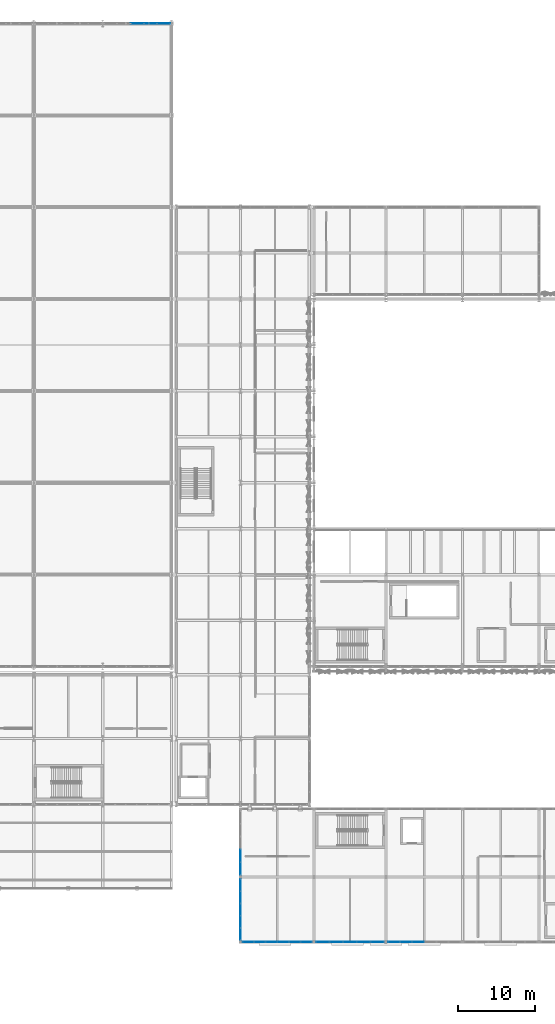
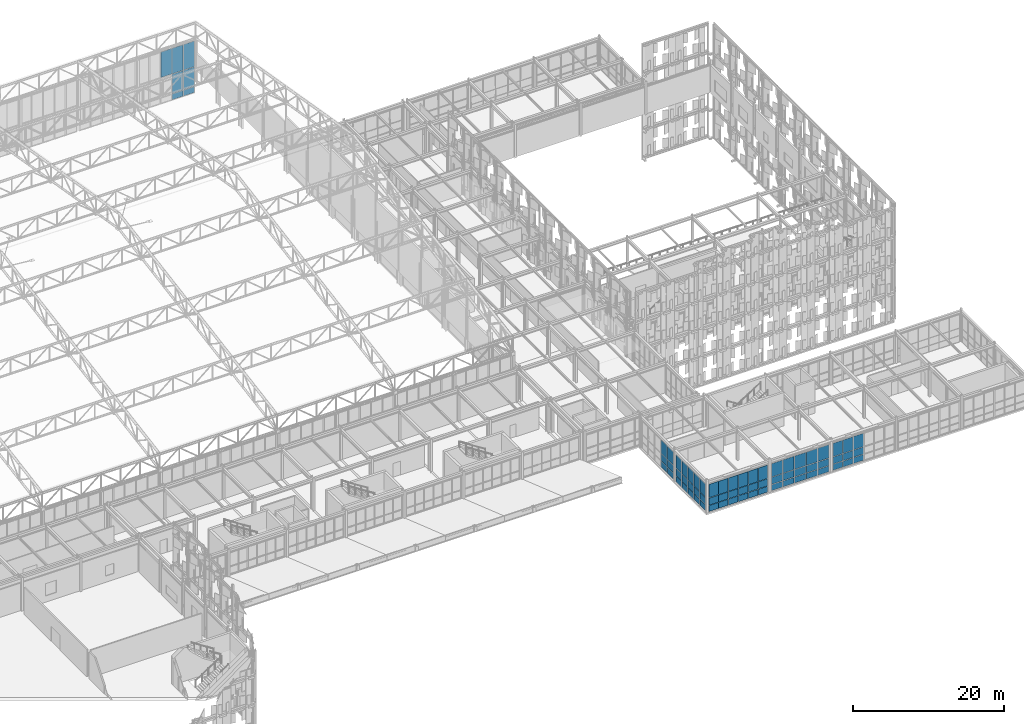
# One storey, part 190 of 239: 70 plates, 6 elements without a shape of their own.
"""IFC4 building model written with IfcOpenShell, lengths in metres."""

from ifc_helpers import new_model, si_unit, direction, frame, origin, origin_2d, place, context, subcontext, project, spatial, rectangle, extrude, material, type_object, element, aggregate, save


model = new_model("IFC4")

# Units and contexts
model_context = context("Model", 3, precision=1e-05, world=origin(), true_north=direction((0.0, 1.0)))
body_context = subcontext(model_context, "Body", "Model", "MODEL_VIEW")
ifc_project = project(units=[si_unit("LENGTHUNIT", "METRE"), si_unit("AREAUNIT", "SQUARE_METRE"), si_unit("VOLUMEUNIT", "CUBIC_METRE"), si_unit("PLANEANGLEUNIT", "RADIAN"), si_unit("MASSUNIT", "GRAM", prefix="KILO")], contexts=[model_context])

# Site, building, storey
site_placement = place(None, origin())
site = spatial("IfcSite", under=ifc_project, at=site_placement, CompositionType="ELEMENT")
building_placement = place(site_placement, origin())
building = spatial("IfcBuilding", under=site, at=building_placement, Name="Kaldris Quays Convention Centre", CompositionType="ELEMENT")
storey_placement = place(building_placement, frame((0.0, 0.0, 11.39990234375)))
storey = spatial("IfcBuildingStorey", under=building, at=storey_placement, Name="L02", CompositionType="ELEMENT", Elevation=11.39990234375)

# Curtain wall, plates
ifc_material_1 = material(Name="Anodized aluminium AW-6060 and triple glazing", Category="aluminium")
curtain_wall_type_1 = type_object("IfcCurtainWallType", Name="UNITISED CURTAIN WALL CW02", PredefinedType="NOTDEFINED", material=ifc_material_1)
curtain_wall_1_placement = place(storey_placement, origin())
curtain_wall_1 = element("IfcCurtainWall", 1, at=curtain_wall_1_placement, inside=storey, type_object=curtain_wall_type_1, Name="L02 Unitised Curtain Wall CW02 201", PredefinedType="NOTDEFINED")
ifc_material_2 = material(Name="Triple low-E insulated glazing", Category="glass")
plate_type_1 = type_object("IfcPlateType", Name="CURTAIN GLAZING PANEL CWP1", PredefinedType="CURTAIN_PANEL", material=ifc_material_2)
plate_1_placement = place(storey_placement, frame((165.7548828125, 20.0, 0.06005859375), z_axis=(0.0, 0.0, 1.0), x_axis=(1.0, 0.0, 0.0)))
plate_1 = element("IfcPlate", 2, at=plate_1_placement, type_object=plate_type_1, Name="CW02 panel 1.1", PredefinedType="CURTAIN_PANEL", context=body_context, shape_type="SweptSolid", body=[
    extrude(rectangle(XDim=1.68994140625, YDim=0.029052734375, at=origin_2d()), origin(), (0.0, 0.0, 1.0), 0.9599609375),
])
plate_2_placement = place(storey_placement, frame((165.7548828125, 20.0, 1.080078125), z_axis=(0.0, 0.0, 1.0), x_axis=(1.0, 0.0, 0.0)))
plate_2 = element("IfcPlate", 3, at=plate_2_placement, type_object=plate_type_1, Name="CW02 panel 1.2", PredefinedType="CURTAIN_PANEL", context=body_context, shape_type="SweptSolid", body=[
    extrude(rectangle(XDim=1.68994140625, YDim=0.029052734375, at=origin_2d()), origin(), (0.0, 0.0, 1.0), 1.138916015625),
])
plate_3_placement = place(storey_placement, frame((165.7548828125, 20.0, 2.279296875), z_axis=(0.0, 0.0, 1.0), x_axis=(1.0, 0.0, 0.0)))
plate_3 = element("IfcPlate", 4, at=plate_3_placement, type_object=plate_type_1, Name="CW02 panel 1.3", PredefinedType="CURTAIN_PANEL", context=body_context, shape_type="SweptSolid", body=[
    extrude(rectangle(XDim=1.68994140625, YDim=0.029052734375, at=origin_2d()), origin(), (0.0, 0.0, 1.0), 2.158935546875),
])
plate_4_placement = place(storey_placement, frame((167.52001953125, 20.0, 0.06005859375), z_axis=(0.0, 0.0, 1.0), x_axis=(1.0, 0.0, 0.0)))
plate_4 = element("IfcPlate", 5, at=plate_4_placement, type_object=plate_type_1, Name="CW02 panel 2.1", PredefinedType="CURTAIN_PANEL", context=body_context, shape_type="SweptSolid", body=[
    extrude(rectangle(XDim=1.719970703125, YDim=0.029052734375, at=origin_2d()), origin(), (0.0, 0.0, 1.0), 0.9599609375),
])
plate_5_placement = place(storey_placement, frame((167.52001953125, 20.0, 1.080078125), z_axis=(0.0, 0.0, 1.0), x_axis=(1.0, 0.0, 0.0)))
plate_5 = element("IfcPlate", 6, at=plate_5_placement, type_object=plate_type_1, Name="CW02 panel 2.2", PredefinedType="CURTAIN_PANEL", context=body_context, shape_type="SweptSolid", body=[
    extrude(rectangle(XDim=1.719970703125, YDim=0.029052734375, at=origin_2d()), origin(), (0.0, 0.0, 1.0), 1.138916015625),
])
plate_6_placement = place(storey_placement, frame((167.52001953125, 20.0, 2.279296875), z_axis=(0.0, 0.0, 1.0), x_axis=(1.0, 0.0, 0.0)))
plate_6 = element("IfcPlate", 7, at=plate_6_placement, type_object=plate_type_1, Name="CW02 panel 2.3", PredefinedType="CURTAIN_PANEL", context=body_context, shape_type="SweptSolid", body=[
    extrude(rectangle(XDim=1.719970703125, YDim=0.029052734375, at=origin_2d()), origin(), (0.0, 0.0, 1.0), 2.158935546875),
])
plate_7_placement = place(storey_placement, frame((169.300048828125, 20.0, 0.06005859375), z_axis=(0.0, 0.0, 1.0), x_axis=(1.0, 0.0, 0.0)))
plate_7 = element("IfcPlate", 8, at=plate_7_placement, type_object=plate_type_1, Name="CW02 panel 3.1", PredefinedType="CURTAIN_PANEL", context=body_context, shape_type="SweptSolid", body=[
    extrude(rectangle(XDim=1.719970703125, YDim=0.029052734375, at=origin_2d()), origin(), (0.0, 0.0, 1.0), 0.9599609375),
])
plate_8_placement = place(storey_placement, frame((169.300048828125, 20.0, 1.080078125), z_axis=(0.0, 0.0, 1.0), x_axis=(1.0, 0.0, 0.0)))
plate_8 = element("IfcPlate", 9, at=plate_8_placement, type_object=plate_type_1, Name="CW02 panel 3.2", PredefinedType="CURTAIN_PANEL", context=body_context, shape_type="SweptSolid", body=[
    extrude(rectangle(XDim=1.719970703125, YDim=0.029052734375, at=origin_2d()), origin(), (0.0, 0.0, 1.0), 1.138916015625),
])
plate_9_placement = place(storey_placement, frame((169.300048828125, 20.0, 2.279296875), z_axis=(0.0, 0.0, 1.0), x_axis=(1.0, 0.0, 0.0)))
plate_9 = element("IfcPlate", 10, at=plate_9_placement, type_object=plate_type_1, Name="CW02 panel 3.3", PredefinedType="CURTAIN_PANEL", context=body_context, shape_type="SweptSolid", body=[
    extrude(rectangle(XDim=1.719970703125, YDim=0.029052734375, at=origin_2d()), origin(), (0.0, 0.0, 1.0), 2.158935546875),
])
plate_10_placement = place(storey_placement, frame((171.080078125, 20.0, 0.06005859375), z_axis=(0.0, 0.0, 1.0), x_axis=(1.0, 0.0, 0.0)))
plate_10 = element("IfcPlate", 11, at=plate_10_placement, type_object=plate_type_1, Name="CW02 panel 4.1", PredefinedType="CURTAIN_PANEL", context=body_context, shape_type="SweptSolid", body=[
    extrude(rectangle(XDim=1.719970703125, YDim=0.029052734375, at=origin_2d()), origin(), (0.0, 0.0, 1.0), 0.9599609375),
])
plate_11_placement = place(storey_placement, frame((171.080078125, 20.0, 1.080078125), z_axis=(0.0, 0.0, 1.0), x_axis=(1.0, 0.0, 0.0)))
plate_11 = element("IfcPlate", 12, at=plate_11_placement, type_object=plate_type_1, Name="CW02 panel 4.2", PredefinedType="CURTAIN_PANEL", context=body_context, shape_type="SweptSolid", body=[
    extrude(rectangle(XDim=1.719970703125, YDim=0.029052734375, at=origin_2d()), origin(), (0.0, 0.0, 1.0), 1.138916015625),
])
plate_12_placement = place(storey_placement, frame((171.080078125, 20.0, 2.279296875), z_axis=(0.0, 0.0, 1.0), x_axis=(1.0, 0.0, 0.0)))
plate_12 = element("IfcPlate", 13, at=plate_12_placement, type_object=plate_type_1, Name="CW02 panel 4.3", PredefinedType="CURTAIN_PANEL", context=body_context, shape_type="SweptSolid", body=[
    extrude(rectangle(XDim=1.719970703125, YDim=0.029052734375, at=origin_2d()), origin(), (0.0, 0.0, 1.0), 2.158935546875),
])
plate_13_placement = place(storey_placement, frame((172.844970703125, 20.0, 0.06005859375), z_axis=(0.0, 0.0, 1.0), x_axis=(1.0, 0.0, 0.0)))
plate_13 = element("IfcPlate", 14, at=plate_13_placement, type_object=plate_type_1, Name="CW02 panel 5.1", PredefinedType="CURTAIN_PANEL", context=body_context, shape_type="SweptSolid", body=[
    extrude(rectangle(XDim=1.68994140625, YDim=0.029052734375, at=origin_2d()), origin(), (0.0, 0.0, 1.0), 0.9599609375),
])
plate_14_placement = place(storey_placement, frame((172.844970703125, 20.0, 1.080078125), z_axis=(0.0, 0.0, 1.0), x_axis=(1.0, 0.0, 0.0)))
plate_14 = element("IfcPlate", 15, at=plate_14_placement, type_object=plate_type_1, Name="CW02 panel 5.2", PredefinedType="CURTAIN_PANEL", context=body_context, shape_type="SweptSolid", body=[
    extrude(rectangle(XDim=1.68994140625, YDim=0.029052734375, at=origin_2d()), origin(), (0.0, 0.0, 1.0), 1.138916015625),
])
plate_15_placement = place(storey_placement, frame((172.844970703125, 20.0, 2.279296875), z_axis=(0.0, 0.0, 1.0), x_axis=(1.0, 0.0, 0.0)))
plate_15 = element("IfcPlate", 16, at=plate_15_placement, type_object=plate_type_1, Name="CW02 panel 5.3", PredefinedType="CURTAIN_PANEL", context=body_context, shape_type="SweptSolid", body=[
    extrude(rectangle(XDim=1.68994140625, YDim=0.029052734375, at=origin_2d()), origin(), (0.0, 0.0, 1.0), 2.158935546875),
])
aggregate(curtain_wall_1, [plate_1, plate_2, plate_3, plate_4, plate_5, plate_6, plate_7, plate_8, plate_9, plate_10, plate_11, plate_12, plate_13, plate_14, plate_15])

curtain_wall_2_placement = place(storey_placement, origin())
curtain_wall_2 = element("IfcCurtainWall", 17, at=curtain_wall_2_placement, inside=storey, type_object=curtain_wall_type_1, Name="L02 Unitised Curtain Wall CW02 209", PredefinedType="NOTDEFINED")
plate_16_placement = place(storey_placement, frame((155.0, 21.06494140625, 0.06005859375), z_axis=(0.0, 0.0, 1.0), x_axis=(0.0, 1.0, 0.0)))
plate_16 = element("IfcPlate", 18, at=plate_16_placement, type_object=plate_type_1, Name="CW02 panel 1.1", PredefinedType="CURTAIN_PANEL", context=body_context, shape_type="SweptSolid", body=[
    extrude(rectangle(XDim=1.510009765625, YDim=0.029052734375, at=origin_2d()), origin(), (0.0, 0.0, 1.0), 0.9599609375),
])
plate_17_placement = place(storey_placement, frame((155.0, 21.06494140625, 1.080078125), z_axis=(0.0, 0.0, 1.0), x_axis=(0.0, 1.0, 0.0)))
plate_17 = element("IfcPlate", 19, at=plate_17_placement, type_object=plate_type_1, Name="CW02 panel 1.2", PredefinedType="CURTAIN_PANEL", context=body_context, shape_type="SweptSolid", body=[
    extrude(rectangle(XDim=1.510009765625, YDim=0.029052734375, at=origin_2d()), origin(), (0.0, 0.0, 1.0), 1.138916015625),
])
plate_18_placement = place(storey_placement, frame((155.0, 21.06494140625, 2.279296875), z_axis=(0.0, 0.0, 1.0), x_axis=(0.0, 1.0, 0.0)))
plate_18 = element("IfcPlate", 20, at=plate_18_placement, type_object=plate_type_1, Name="CW02 panel 1.3", PredefinedType="CURTAIN_PANEL", context=body_context, shape_type="SweptSolid", body=[
    extrude(rectangle(XDim=1.510009765625, YDim=0.029052734375, at=origin_2d()), origin(), (0.0, 0.0, 1.0), 2.158935546875),
])
plate_19_placement = place(storey_placement, frame((155.0, 22.64990234375, 0.06005859375), z_axis=(0.0, 0.0, 1.0), x_axis=(0.0, 1.0, 0.0)))
plate_19 = element("IfcPlate", 21, at=plate_19_placement, type_object=plate_type_1, Name="CW02 panel 2.1", PredefinedType="CURTAIN_PANEL", context=body_context, shape_type="SweptSolid", body=[
    extrude(rectangle(XDim=1.5400390625, YDim=0.029052734375, at=origin_2d()), origin(), (0.0, 0.0, 1.0), 0.9599609375),
])
plate_20_placement = place(storey_placement, frame((155.0, 22.64990234375, 1.080078125), z_axis=(0.0, 0.0, 1.0), x_axis=(0.0, 1.0, 0.0)))
plate_20 = element("IfcPlate", 22, at=plate_20_placement, type_object=plate_type_1, Name="CW02 panel 2.2", PredefinedType="CURTAIN_PANEL", context=body_context, shape_type="SweptSolid", body=[
    extrude(rectangle(XDim=1.5400390625, YDim=0.029052734375, at=origin_2d()), origin(), (0.0, 0.0, 1.0), 1.138916015625),
])
plate_21_placement = place(storey_placement, frame((155.0, 22.64990234375, 2.279296875), z_axis=(0.0, 0.0, 1.0), x_axis=(0.0, 1.0, 0.0)))
plate_21 = element("IfcPlate", 23, at=plate_21_placement, type_object=plate_type_1, Name="CW02 panel 2.3", PredefinedType="CURTAIN_PANEL", context=body_context, shape_type="SweptSolid", body=[
    extrude(rectangle(XDim=1.5400390625, YDim=0.029052734375, at=origin_2d()), origin(), (0.0, 0.0, 1.0), 2.158935546875),
])
plate_22_placement = place(storey_placement, frame((155.0, 24.25, 0.06005859375), z_axis=(0.0, 0.0, 1.0), x_axis=(0.0, 1.0, 0.0)))
plate_22 = element("IfcPlate", 24, at=plate_22_placement, type_object=plate_type_1, Name="CW02 panel 3.1", PredefinedType="CURTAIN_PANEL", context=body_context, shape_type="SweptSolid", body=[
    extrude(rectangle(XDim=1.5400390625, YDim=0.029052734375, at=origin_2d()), origin(), (0.0, 0.0, 1.0), 0.9599609375),
])
plate_23_placement = place(storey_placement, frame((155.0, 24.25, 1.080078125), z_axis=(0.0, 0.0, 1.0), x_axis=(0.0, 1.0, 0.0)))
plate_23 = element("IfcPlate", 25, at=plate_23_placement, type_object=plate_type_1, Name="CW02 panel 3.2", PredefinedType="CURTAIN_PANEL", context=body_context, shape_type="SweptSolid", body=[
    extrude(rectangle(XDim=1.5400390625, YDim=0.029052734375, at=origin_2d()), origin(), (0.0, 0.0, 1.0), 1.138916015625),
])
plate_24_placement = place(storey_placement, frame((155.0, 24.25, 2.279296875), z_axis=(0.0, 0.0, 1.0), x_axis=(0.0, 1.0, 0.0)))
plate_24 = element("IfcPlate", 26, at=plate_24_placement, type_object=plate_type_1, Name="CW02 panel 3.3", PredefinedType="CURTAIN_PANEL", context=body_context, shape_type="SweptSolid", body=[
    extrude(rectangle(XDim=1.5400390625, YDim=0.029052734375, at=origin_2d()), origin(), (0.0, 0.0, 1.0), 2.158935546875),
])
plate_25_placement = place(storey_placement, frame((155.0, 25.85009765625, 0.06005859375), z_axis=(0.0, 0.0, 1.0), x_axis=(0.0, 1.0, 0.0)))
plate_25 = element("IfcPlate", 27, at=plate_25_placement, type_object=plate_type_1, Name="CW02 panel 4.1", PredefinedType="CURTAIN_PANEL", context=body_context, shape_type="SweptSolid", body=[
    extrude(rectangle(XDim=1.5400390625, YDim=0.029052734375, at=origin_2d()), origin(), (0.0, 0.0, 1.0), 0.9599609375),
])
plate_26_placement = place(storey_placement, frame((155.0, 25.85009765625, 1.080078125), z_axis=(0.0, 0.0, 1.0), x_axis=(0.0, 1.0, 0.0)))
plate_26 = element("IfcPlate", 28, at=plate_26_placement, type_object=plate_type_1, Name="CW02 panel 4.2", PredefinedType="CURTAIN_PANEL", context=body_context, shape_type="SweptSolid", body=[
    extrude(rectangle(XDim=1.5400390625, YDim=0.029052734375, at=origin_2d()), origin(), (0.0, 0.0, 1.0), 1.138916015625),
])
plate_27_placement = place(storey_placement, frame((155.0, 25.85009765625, 2.279296875), z_axis=(0.0, 0.0, 1.0), x_axis=(0.0, 1.0, 0.0)))
plate_27 = element("IfcPlate", 29, at=plate_27_placement, type_object=plate_type_1, Name="CW02 panel 4.3", PredefinedType="CURTAIN_PANEL", context=body_context, shape_type="SweptSolid", body=[
    extrude(rectangle(XDim=1.5400390625, YDim=0.029052734375, at=origin_2d()), origin(), (0.0, 0.0, 1.0), 2.158935546875),
])
plate_28_placement = place(storey_placement, frame((155.0, 27.43505859375, 0.06005859375), z_axis=(0.0, 0.0, 1.0), x_axis=(0.0, 1.0, 0.0)))
plate_28 = element("IfcPlate", 30, at=plate_28_placement, type_object=plate_type_1, Name="CW02 panel 5.1", PredefinedType="CURTAIN_PANEL", context=body_context, shape_type="SweptSolid", body=[
    extrude(rectangle(XDim=1.510009765625, YDim=0.029052734375, at=origin_2d()), origin(), (0.0, 0.0, 1.0), 0.9599609375),
])
plate_29_placement = place(storey_placement, frame((155.0, 27.43505859375, 1.080078125), z_axis=(0.0, 0.0, 1.0), x_axis=(0.0, 1.0, 0.0)))
plate_29 = element("IfcPlate", 31, at=plate_29_placement, type_object=plate_type_1, Name="CW02 panel 5.2", PredefinedType="CURTAIN_PANEL", context=body_context, shape_type="SweptSolid", body=[
    extrude(rectangle(XDim=1.510009765625, YDim=0.029052734375, at=origin_2d()), origin(), (0.0, 0.0, 1.0), 1.138916015625),
])
plate_30_placement = place(storey_placement, frame((155.0, 27.43505859375, 2.279296875), z_axis=(0.0, 0.0, 1.0), x_axis=(0.0, 1.0, 0.0)))
plate_30 = element("IfcPlate", 32, at=plate_30_placement, type_object=plate_type_1, Name="CW02 panel 5.3", PredefinedType="CURTAIN_PANEL", context=body_context, shape_type="SweptSolid", body=[
    extrude(rectangle(XDim=1.510009765625, YDim=0.029052734375, at=origin_2d()), origin(), (0.0, 0.0, 1.0), 2.158935546875),
])
aggregate(curtain_wall_2, [plate_16, plate_17, plate_18, plate_19, plate_20, plate_21, plate_22, plate_23, plate_24, plate_25, plate_26, plate_27, plate_28, plate_29, plate_30])

curtain_wall_3_placement = place(storey_placement, origin())
curtain_wall_3 = element("IfcCurtainWall", 33, at=curtain_wall_3_placement, inside=storey, type_object=curtain_wall_type_1, Name="L02 Unitised Curtain Wall CW02 203", PredefinedType="NOTDEFINED")
plate_type_2 = type_object("IfcPlateType", Name="CURTAIN GLAZING PANEL CWP3", PredefinedType="CURTAIN_PANEL", material=ifc_material_2)
plate_31_placement = place(storey_placement, frame((175.056640625, 20.0, 0.06005859375), z_axis=(0.0, 0.0, 1.0), x_axis=(1.0, 0.0, 0.0)))
plate_31 = element("IfcPlate", 34, at=plate_31_placement, type_object=plate_type_2, Name="CW02 panel 1.1", PredefinedType="CURTAIN_PANEL", context=body_context, shape_type="SweptSolid", body=[
    extrude(rectangle(XDim=1.493408203125, YDim=0.0390625, at=origin_2d()), origin(), (0.0, 0.0, 1.0), 0.9599609375),
])
plate_32_placement = place(storey_placement, frame((175.056640625, 20.0, 1.080078125), z_axis=(0.0, 0.0, 1.0), x_axis=(1.0, 0.0, 0.0)))
plate_32 = element("IfcPlate", 35, at=plate_32_placement, type_object=plate_type_2, Name="CW02 panel 1.2", PredefinedType="CURTAIN_PANEL", context=body_context, shape_type="SweptSolid", body=[
    extrude(rectangle(XDim=1.493408203125, YDim=0.0390625, at=origin_2d()), origin(), (0.0, 0.0, 1.0), 1.138916015625),
])
plate_33_placement = place(storey_placement, frame((175.056640625, 20.0, 2.279296875), z_axis=(0.0, 0.0, 1.0), x_axis=(1.0, 0.0, 0.0)))
plate_33 = element("IfcPlate", 36, at=plate_33_placement, type_object=plate_type_2, Name="CW02 panel 1.3", PredefinedType="CURTAIN_PANEL", context=body_context, shape_type="SweptSolid", body=[
    extrude(rectangle(XDim=1.493408203125, YDim=0.0390625, at=origin_2d()), origin(), (0.0, 0.0, 1.0), 2.158935546875),
])
plate_34_placement = place(storey_placement, frame((176.625, 20.0, 0.06005859375), z_axis=(0.0, 0.0, 1.0), x_axis=(1.0, 0.0, 0.0)))
plate_34 = element("IfcPlate", 37, at=plate_34_placement, type_object=plate_type_2, Name="CW02 panel 2.1", PredefinedType="CURTAIN_PANEL", context=body_context, shape_type="SweptSolid", body=[
    extrude(rectangle(XDim=1.5234375, YDim=0.0390625, at=origin_2d()), origin(), (0.0, 0.0, 1.0), 0.9599609375),
])
plate_35_placement = place(storey_placement, frame((176.625, 20.0, 1.080078125), z_axis=(0.0, 0.0, 1.0), x_axis=(1.0, 0.0, 0.0)))
plate_35 = element("IfcPlate", 38, at=plate_35_placement, type_object=plate_type_2, Name="CW02 panel 2.2", PredefinedType="CURTAIN_PANEL", context=body_context, shape_type="SweptSolid", body=[
    extrude(rectangle(XDim=1.5234375, YDim=0.0390625, at=origin_2d()), origin(), (0.0, 0.0, 1.0), 1.138916015625),
])
plate_36_placement = place(storey_placement, frame((176.625, 20.0, 2.279296875), z_axis=(0.0, 0.0, 1.0), x_axis=(1.0, 0.0, 0.0)))
plate_36 = element("IfcPlate", 39, at=plate_36_placement, type_object=plate_type_2, Name="CW02 panel 2.3", PredefinedType="CURTAIN_PANEL", context=body_context, shape_type="SweptSolid", body=[
    extrude(rectangle(XDim=1.5234375, YDim=0.0390625, at=origin_2d()), origin(), (0.0, 0.0, 1.0), 2.158935546875),
])
plate_37_placement = place(storey_placement, frame((178.208251953125, 20.0, 0.06005859375), z_axis=(0.0, 0.0, 1.0), x_axis=(1.0, 0.0, 0.0)))
plate_37 = element("IfcPlate", 40, at=plate_37_placement, type_object=plate_type_2, Name="CW02 panel 3.1", PredefinedType="CURTAIN_PANEL", context=body_context, shape_type="SweptSolid", body=[
    extrude(rectangle(XDim=1.5234375, YDim=0.0390625, at=origin_2d()), origin(), (0.0, 0.0, 1.0), 0.9599609375),
])
plate_38_placement = place(storey_placement, frame((178.208251953125, 20.0, 1.080078125), z_axis=(0.0, 0.0, 1.0), x_axis=(1.0, 0.0, 0.0)))
plate_38 = element("IfcPlate", 41, at=plate_38_placement, type_object=plate_type_2, Name="CW02 panel 3.2", PredefinedType="CURTAIN_PANEL", context=body_context, shape_type="SweptSolid", body=[
    extrude(rectangle(XDim=1.5234375, YDim=0.0390625, at=origin_2d()), origin(), (0.0, 0.0, 1.0), 1.138916015625),
])
plate_39_placement = place(storey_placement, frame((178.208251953125, 20.0, 2.279296875), z_axis=(0.0, 0.0, 1.0), x_axis=(1.0, 0.0, 0.0)))
plate_39 = element("IfcPlate", 42, at=plate_39_placement, type_object=plate_type_2, Name="CW02 panel 3.3", PredefinedType="CURTAIN_PANEL", context=body_context, shape_type="SweptSolid", body=[
    extrude(rectangle(XDim=1.5234375, YDim=0.0390625, at=origin_2d()), origin(), (0.0, 0.0, 1.0), 2.158935546875),
])
aggregate(curtain_wall_3, [plate_31, plate_32, plate_33, plate_34, plate_35, plate_36, plate_37, plate_38, plate_39])

curtain_wall_4_placement = place(storey_placement, origin())
curtain_wall_4 = element("IfcCurtainWall", 43, at=curtain_wall_4_placement, inside=storey, type_object=curtain_wall_type_1, Name="L02 Unitised Curtain Wall CW02 211", PredefinedType="NOTDEFINED")
plate_40_placement = place(storey_placement, frame((155.0, 29.60498046875, 0.06005859375), z_axis=(0.0, 0.0, 1.0), x_axis=(0.0, 1.0, 0.0)))
plate_40 = element("IfcPlate", 44, at=plate_40_placement, type_object=plate_type_2, Name="CW02 panel 1.1", PredefinedType="CURTAIN_PANEL", context=body_context, shape_type="SweptSolid", body=[
    extrude(rectangle(XDim=1.590087890625, YDim=0.0390625, at=origin_2d()), origin(), (0.0, 0.0, 1.0), 0.9599609375),
])
plate_41_placement = place(storey_placement, frame((155.0, 29.60498046875, 1.080078125), z_axis=(0.0, 0.0, 1.0), x_axis=(0.0, 1.0, 0.0)))
plate_41 = element("IfcPlate", 45, at=plate_41_placement, type_object=plate_type_2, Name="CW02 panel 1.2", PredefinedType="CURTAIN_PANEL", context=body_context, shape_type="SweptSolid", body=[
    extrude(rectangle(XDim=1.590087890625, YDim=0.0390625, at=origin_2d()), origin(), (0.0, 0.0, 1.0), 1.138916015625),
])
plate_42_placement = place(storey_placement, frame((155.0, 29.60498046875, 2.279296875), z_axis=(0.0, 0.0, 1.0), x_axis=(0.0, 1.0, 0.0)))
plate_42 = element("IfcPlate", 46, at=plate_42_placement, type_object=plate_type_2, Name="CW02 panel 1.3", PredefinedType="CURTAIN_PANEL", context=body_context, shape_type="SweptSolid", body=[
    extrude(rectangle(XDim=1.590087890625, YDim=0.0390625, at=origin_2d()), origin(), (0.0, 0.0, 1.0), 2.158935546875),
])
plate_43_placement = place(storey_placement, frame((155.0, 31.27001953125, 0.06005859375), z_axis=(0.0, 0.0, 1.0), x_axis=(0.0, 1.0, 0.0)))
plate_43 = element("IfcPlate", 47, at=plate_43_placement, type_object=plate_type_2, Name="CW02 panel 2.1", PredefinedType="CURTAIN_PANEL", context=body_context, shape_type="SweptSolid", body=[
    extrude(rectangle(XDim=1.6201171875, YDim=0.0390625, at=origin_2d()), origin(), (0.0, 0.0, 1.0), 0.9599609375),
])
plate_44_placement = place(storey_placement, frame((155.0, 31.27001953125, 1.080078125), z_axis=(0.0, 0.0, 1.0), x_axis=(0.0, 1.0, 0.0)))
plate_44 = element("IfcPlate", 48, at=plate_44_placement, type_object=plate_type_2, Name="CW02 panel 2.2", PredefinedType="CURTAIN_PANEL", context=body_context, shape_type="SweptSolid", body=[
    extrude(rectangle(XDim=1.6201171875, YDim=0.0390625, at=origin_2d()), origin(), (0.0, 0.0, 1.0), 1.138916015625),
])
plate_45_placement = place(storey_placement, frame((155.0, 31.27001953125, 2.279296875), z_axis=(0.0, 0.0, 1.0), x_axis=(0.0, 1.0, 0.0)))
plate_45 = element("IfcPlate", 49, at=plate_45_placement, type_object=plate_type_2, Name="CW02 panel 2.3", PredefinedType="CURTAIN_PANEL", context=body_context, shape_type="SweptSolid", body=[
    extrude(rectangle(XDim=1.6201171875, YDim=0.0390625, at=origin_2d()), origin(), (0.0, 0.0, 1.0), 2.158935546875),
])
aggregate(curtain_wall_4, [plate_40, plate_41, plate_42, plate_43, plate_44, plate_45])

curtain_wall_type_2 = type_object("IfcCurtainWallType", Name="UNITISED CURTAIN WALL CW03", PredefinedType="NOTDEFINED", material=ifc_material_1)
curtain_wall_5_placement = place(storey_placement, origin())
curtain_wall_5 = element("IfcCurtainWall", 50, at=curtain_wall_5_placement, inside=storey, type_object=curtain_wall_type_2, Name="L02 Unitised Curtain Wall CW03 254", PredefinedType="NOTDEFINED")
plate_type_3 = type_object("IfcPlateType", Name="CURTAIN GLAZING PANEL CWP6", PredefinedType="CURTAIN_PANEL", material=ifc_material_2)
plate_46_placement = place(storey_placement, frame((141.5, 140.0, 2.6533203125), z_axis=(0.0, 0.0, 1.0), x_axis=(1.0, 0.0, 0.0)))
plate_46 = element("IfcPlate", 51, at=plate_46_placement, type_object=plate_type_3, Name="CW03 panel 3.3", PredefinedType="CURTAIN_PANEL", context=body_context, shape_type="SweptSolid", body=[
    extrude(rectangle(XDim=1.68408203125, YDim=0.053955078125, at=origin_2d()), origin(), (0.0, 0.0, 1.0), 4.136962890625),
])
plate_47_placement = place(storey_placement, frame((143.243896484375, 140.0, -1.544921875), z_axis=(0.0, 0.0, 1.0), x_axis=(1.0, 0.0, 0.0)))
plate_47 = element("IfcPlate", 52, at=plate_47_placement, type_object=plate_type_3, Name="CW03 panel 4.1", PredefinedType="CURTAIN_PANEL", context=body_context, shape_type="SweptSolid", body=[
    extrude(rectangle(XDim=1.68408203125, YDim=0.053955078125, at=origin_2d()), origin(), (0.0, 0.0, 1.0), 0.9599609375),
])
plate_48_placement = place(storey_placement, frame((143.243896484375, 140.0, -0.52490234375), z_axis=(0.0, 0.0, 1.0), x_axis=(1.0, 0.0, 0.0)))
plate_48 = element("IfcPlate", 53, at=plate_48_placement, type_object=plate_type_3, Name="CW03 panel 4.2", PredefinedType="CURTAIN_PANEL", context=body_context, shape_type="SweptSolid", body=[
    extrude(rectangle(XDim=1.68408203125, YDim=0.053955078125, at=origin_2d()), origin(), (0.0, 0.0, 1.0), 3.117919921875),
])
plate_49_placement = place(storey_placement, frame((143.243896484375, 140.0, 2.6533203125), z_axis=(0.0, 0.0, 1.0), x_axis=(1.0, 0.0, 0.0)))
plate_49 = element("IfcPlate", 54, at=plate_49_placement, type_object=plate_type_3, Name="CW03 panel 4.3", PredefinedType="CURTAIN_PANEL", context=body_context, shape_type="SweptSolid", body=[
    extrude(rectangle(XDim=1.68408203125, YDim=0.053955078125, at=origin_2d()), origin(), (0.0, 0.0, 1.0), 4.136962890625),
])
plate_50_placement = place(storey_placement, frame((144.972900390625, 140.0, -1.544921875), z_axis=(0.0, 0.0, 1.0), x_axis=(1.0, 0.0, 0.0)))
plate_50 = element("IfcPlate", 55, at=plate_50_placement, type_object=plate_type_3, Name="CW03 panel 5.1", PredefinedType="CURTAIN_PANEL", context=body_context, shape_type="SweptSolid", body=[
    extrude(rectangle(XDim=1.654052734375, YDim=0.053955078125, at=origin_2d()), origin(), (0.0, 0.0, 1.0), 0.9599609375),
])
plate_51_placement = place(storey_placement, frame((144.972900390625, 140.0, -0.52490234375), z_axis=(0.0, 0.0, 1.0), x_axis=(1.0, 0.0, 0.0)))
plate_51 = element("IfcPlate", 56, at=plate_51_placement, type_object=plate_type_3, Name="CW03 panel 5.2", PredefinedType="CURTAIN_PANEL", context=body_context, shape_type="SweptSolid", body=[
    extrude(rectangle(XDim=1.654052734375, YDim=0.053955078125, at=origin_2d()), origin(), (0.0, 0.0, 1.0), 3.117919921875),
])
plate_52_placement = place(storey_placement, frame((144.972900390625, 140.0, 2.6533203125), z_axis=(0.0, 0.0, 1.0), x_axis=(1.0, 0.0, 0.0)))
plate_52 = element("IfcPlate", 57, at=plate_52_placement, type_object=plate_type_3, Name="CW03 panel 5.3", PredefinedType="CURTAIN_PANEL", context=body_context, shape_type="SweptSolid", body=[
    extrude(rectangle(XDim=1.654052734375, YDim=0.053955078125, at=origin_2d()), origin(), (0.0, 0.0, 1.0), 4.136962890625),
])
aggregate(curtain_wall_5, [plate_46, plate_47, plate_48, plate_49, plate_50, plate_51, plate_52])

curtain_wall_6_placement = place(storey_placement, origin())
curtain_wall_6 = element("IfcCurtainWall", 58, at=curtain_wall_6_placement, inside=storey, type_object=curtain_wall_type_1, Name="L02 Unitised Curtain Wall CW02 199", PredefinedType="NOTDEFINED")
plate_type_4 = type_object("IfcPlateType", Name="CURTAIN GLAZING PANEL CWP7", PredefinedType="CURTAIN_PANEL", material=ifc_material_2)
plate_53_placement = place(storey_placement, frame((156.0234375, 20.0, 0.06005859375), z_axis=(0.0, 0.0, 1.0), x_axis=(1.0, 0.0, 0.0)))
plate_53 = element("IfcPlate", 59, at=plate_53_placement, type_object=plate_type_4, Name="CW02 panel 1.1", PredefinedType="CURTAIN_PANEL", context=body_context, shape_type="SweptSolid", body=[
    extrude(rectangle(XDim=1.4267578125, YDim=0.05908203125, at=origin_2d()), origin(), (0.0, 0.0, 1.0), 0.9599609375),
])
plate_54_placement = place(storey_placement, frame((156.0234375, 20.0, 1.080078125), z_axis=(0.0, 0.0, 1.0), x_axis=(1.0, 0.0, 0.0)))
plate_54 = element("IfcPlate", 60, at=plate_54_placement, type_object=plate_type_4, Name="CW02 panel 1.2", PredefinedType="CURTAIN_PANEL", context=body_context, shape_type="SweptSolid", body=[
    extrude(rectangle(XDim=1.4267578125, YDim=0.05908203125, at=origin_2d()), origin(), (0.0, 0.0, 1.0), 1.138916015625),
])
plate_55_placement = place(storey_placement, frame((156.0234375, 20.0, 2.279296875), z_axis=(0.0, 0.0, 1.0), x_axis=(1.0, 0.0, 0.0)))
plate_55 = element("IfcPlate", 61, at=plate_55_placement, type_object=plate_type_4, Name="CW02 panel 1.3", PredefinedType="CURTAIN_PANEL", context=body_context, shape_type="SweptSolid", body=[
    extrude(rectangle(XDim=1.4267578125, YDim=0.05908203125, at=origin_2d()), origin(), (0.0, 0.0, 1.0), 2.158935546875),
])
plate_56_placement = place(storey_placement, frame((157.52490234375, 20.0, 0.06005859375), z_axis=(0.0, 0.0, 1.0), x_axis=(1.0, 0.0, 0.0)))
plate_56 = element("IfcPlate", 62, at=plate_56_placement, type_object=plate_type_4, Name="CW02 panel 2.1", PredefinedType="CURTAIN_PANEL", context=body_context, shape_type="SweptSolid", body=[
    extrude(rectangle(XDim=1.456787109375, YDim=0.05908203125, at=origin_2d()), origin(), (0.0, 0.0, 1.0), 0.9599609375),
])
plate_57_placement = place(storey_placement, frame((157.52490234375, 20.0, 1.080078125), z_axis=(0.0, 0.0, 1.0), x_axis=(1.0, 0.0, 0.0)))
plate_57 = element("IfcPlate", 63, at=plate_57_placement, type_object=plate_type_4, Name="CW02 panel 2.2", PredefinedType="CURTAIN_PANEL", context=body_context, shape_type="SweptSolid", body=[
    extrude(rectangle(XDim=1.456787109375, YDim=0.05908203125, at=origin_2d()), origin(), (0.0, 0.0, 1.0), 1.138916015625),
])
plate_58_placement = place(storey_placement, frame((157.52490234375, 20.0, 2.279296875), z_axis=(0.0, 0.0, 1.0), x_axis=(1.0, 0.0, 0.0)))
plate_58 = element("IfcPlate", 64, at=plate_58_placement, type_object=plate_type_4, Name="CW02 panel 2.3", PredefinedType="CURTAIN_PANEL", context=body_context, shape_type="SweptSolid", body=[
    extrude(rectangle(XDim=1.456787109375, YDim=0.05908203125, at=origin_2d()), origin(), (0.0, 0.0, 1.0), 2.158935546875),
])
plate_59_placement = place(storey_placement, frame((159.041748046875, 20.0, 0.06005859375), z_axis=(0.0, 0.0, 1.0), x_axis=(1.0, 0.0, 0.0)))
plate_59 = element("IfcPlate", 65, at=plate_59_placement, type_object=plate_type_4, Name="CW02 panel 3.1", PredefinedType="CURTAIN_PANEL", context=body_context, shape_type="SweptSolid", body=[
    extrude(rectangle(XDim=1.456787109375, YDim=0.05908203125, at=origin_2d()), origin(), (0.0, 0.0, 1.0), 0.9599609375),
])
plate_60_placement = place(storey_placement, frame((159.041748046875, 20.0, 1.080078125), z_axis=(0.0, 0.0, 1.0), x_axis=(1.0, 0.0, 0.0)))
plate_60 = element("IfcPlate", 66, at=plate_60_placement, type_object=plate_type_4, Name="CW02 panel 3.2", PredefinedType="CURTAIN_PANEL", context=body_context, shape_type="SweptSolid", body=[
    extrude(rectangle(XDim=1.456787109375, YDim=0.05908203125, at=origin_2d()), origin(), (0.0, 0.0, 1.0), 1.138916015625),
])
plate_61_placement = place(storey_placement, frame((159.041748046875, 20.0, 2.279296875), z_axis=(0.0, 0.0, 1.0), x_axis=(1.0, 0.0, 0.0)))
plate_61 = element("IfcPlate", 67, at=plate_61_placement, type_object=plate_type_4, Name="CW02 panel 3.3", PredefinedType="CURTAIN_PANEL", context=body_context, shape_type="SweptSolid", body=[
    extrude(rectangle(XDim=1.456787109375, YDim=0.05908203125, at=origin_2d()), origin(), (0.0, 0.0, 1.0), 2.158935546875),
])
plate_62_placement = place(storey_placement, frame((160.558349609375, 20.0, 0.06005859375), z_axis=(0.0, 0.0, 1.0), x_axis=(1.0, 0.0, 0.0)))
plate_62 = element("IfcPlate", 68, at=plate_62_placement, type_object=plate_type_4, Name="CW02 panel 4.1", PredefinedType="CURTAIN_PANEL", context=body_context, shape_type="SweptSolid", body=[
    extrude(rectangle(XDim=1.456787109375, YDim=0.05908203125, at=origin_2d()), origin(), (0.0, 0.0, 1.0), 0.9599609375),
])
plate_63_placement = place(storey_placement, frame((160.558349609375, 20.0, 1.080078125), z_axis=(0.0, 0.0, 1.0), x_axis=(1.0, 0.0, 0.0)))
plate_63 = element("IfcPlate", 69, at=plate_63_placement, type_object=plate_type_4, Name="CW02 panel 4.2", PredefinedType="CURTAIN_PANEL", context=body_context, shape_type="SweptSolid", body=[
    extrude(rectangle(XDim=1.456787109375, YDim=0.05908203125, at=origin_2d()), origin(), (0.0, 0.0, 1.0), 1.138916015625),
])
plate_64_placement = place(storey_placement, frame((160.558349609375, 20.0, 2.279296875), z_axis=(0.0, 0.0, 1.0), x_axis=(1.0, 0.0, 0.0)))
plate_64 = element("IfcPlate", 70, at=plate_64_placement, type_object=plate_type_4, Name="CW02 panel 4.3", PredefinedType="CURTAIN_PANEL", context=body_context, shape_type="SweptSolid", body=[
    extrude(rectangle(XDim=1.456787109375, YDim=0.05908203125, at=origin_2d()), origin(), (0.0, 0.0, 1.0), 2.158935546875),
])
plate_65_placement = place(storey_placement, frame((162.074951171875, 20.0, 0.06005859375), z_axis=(0.0, 0.0, 1.0), x_axis=(1.0, 0.0, 0.0)))
plate_65 = element("IfcPlate", 71, at=plate_65_placement, type_object=plate_type_4, Name="CW02 panel 5.1", PredefinedType="CURTAIN_PANEL", context=body_context, shape_type="SweptSolid", body=[
    extrude(rectangle(XDim=1.456787109375, YDim=0.05908203125, at=origin_2d()), origin(), (0.0, 0.0, 1.0), 0.9599609375),
])
plate_66_placement = place(storey_placement, frame((162.074951171875, 20.0, 1.080078125), z_axis=(0.0, 0.0, 1.0), x_axis=(1.0, 0.0, 0.0)))
plate_66 = element("IfcPlate", 72, at=plate_66_placement, type_object=plate_type_4, Name="CW02 panel 5.2", PredefinedType="CURTAIN_PANEL", context=body_context, shape_type="SweptSolid", body=[
    extrude(rectangle(XDim=1.456787109375, YDim=0.05908203125, at=origin_2d()), origin(), (0.0, 0.0, 1.0), 1.138916015625),
])
plate_67_placement = place(storey_placement, frame((162.074951171875, 20.0, 2.279296875), z_axis=(0.0, 0.0, 1.0), x_axis=(1.0, 0.0, 0.0)))
plate_67 = element("IfcPlate", 73, at=plate_67_placement, type_object=plate_type_4, Name="CW02 panel 5.3", PredefinedType="CURTAIN_PANEL", context=body_context, shape_type="SweptSolid", body=[
    extrude(rectangle(XDim=1.456787109375, YDim=0.05908203125, at=origin_2d()), origin(), (0.0, 0.0, 1.0), 2.158935546875),
])
plate_68_placement = place(storey_placement, frame((163.57666015625, 20.0, 0.06005859375), z_axis=(0.0, 0.0, 1.0), x_axis=(1.0, 0.0, 0.0)))
plate_68 = element("IfcPlate", 74, at=plate_68_placement, type_object=plate_type_4, Name="CW02 panel 6.1", PredefinedType="CURTAIN_PANEL", context=body_context, shape_type="SweptSolid", body=[
    extrude(rectangle(XDim=1.4267578125, YDim=0.05908203125, at=origin_2d()), origin(), (0.0, 0.0, 1.0), 0.9599609375),
])
plate_69_placement = place(storey_placement, frame((163.57666015625, 20.0, 1.080078125), z_axis=(0.0, 0.0, 1.0), x_axis=(1.0, 0.0, 0.0)))
plate_69 = element("IfcPlate", 75, at=plate_69_placement, type_object=plate_type_4, Name="CW02 panel 6.2", PredefinedType="CURTAIN_PANEL", context=body_context, shape_type="SweptSolid", body=[
    extrude(rectangle(XDim=1.4267578125, YDim=0.05908203125, at=origin_2d()), origin(), (0.0, 0.0, 1.0), 1.138916015625),
])
plate_70_placement = place(storey_placement, frame((163.57666015625, 20.0, 2.279296875), z_axis=(0.0, 0.0, 1.0), x_axis=(1.0, 0.0, 0.0)))
plate_70 = element("IfcPlate", 76, at=plate_70_placement, type_object=plate_type_4, Name="CW02 panel 6.3", PredefinedType="CURTAIN_PANEL", context=body_context, shape_type="SweptSolid", body=[
    extrude(rectangle(XDim=1.4267578125, YDim=0.05908203125, at=origin_2d()), origin(), (0.0, 0.0, 1.0), 2.158935546875),
])
aggregate(curtain_wall_6, [plate_53, plate_54, plate_55, plate_56, plate_57, plate_58, plate_59, plate_60, plate_61, plate_62, plate_63, plate_64, plate_65, plate_66, plate_67, plate_68, plate_69, plate_70])

save(model, "model.ifc")
